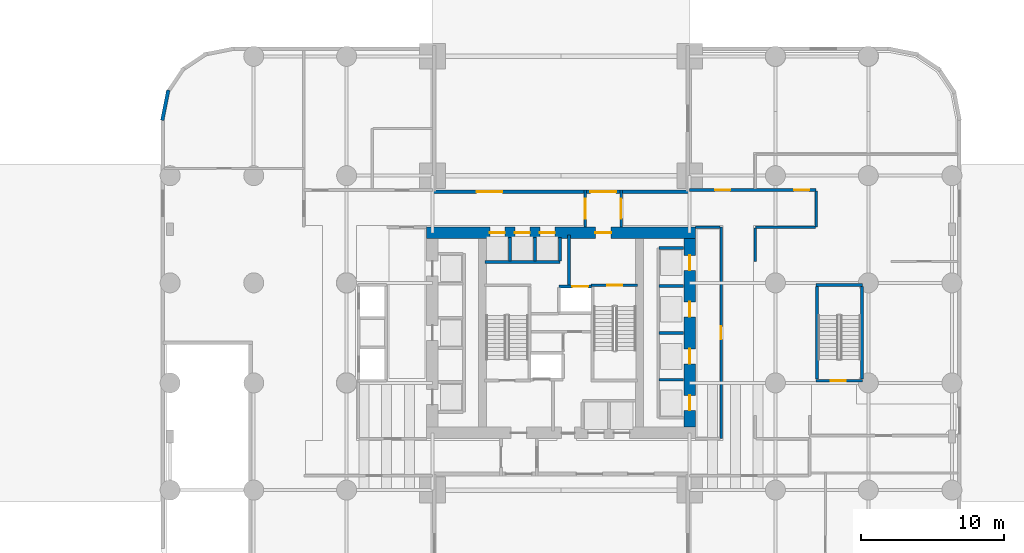
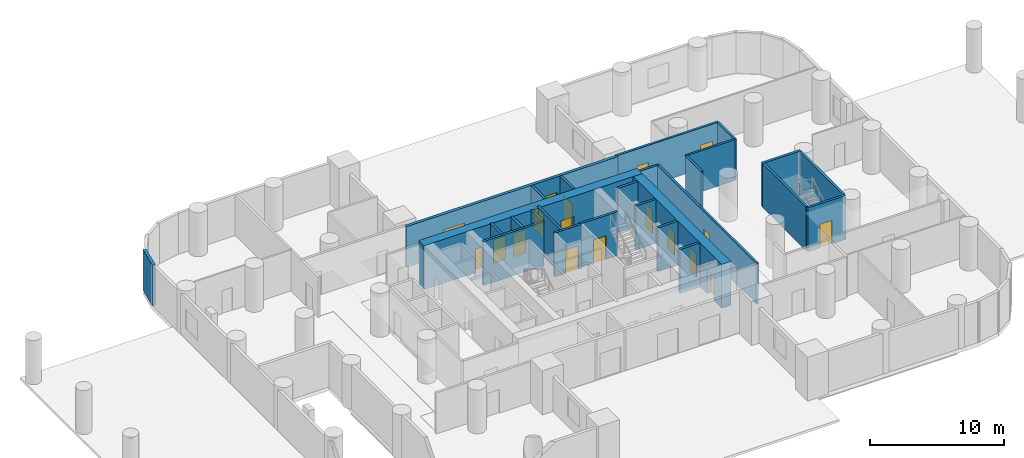
# One storey, part 5 of 10: 27 walls, 18 doors, 18 openings.
"""IFC4 building model written with IfcOpenShell, lengths in metres."""

from ifc_helpers import new_model, si_unit, direction, frame, frame_2d, origin, place, context, subcontext, project, spatial, rectangle, extrude, material, layer, layer_set, type_object, element, fill, save


model = new_model("IFC4")

# Units and contexts
model_context = context("Model", 3, precision=1e-05, world=origin(), true_north=direction((0.0, 1.0)))
body_context = subcontext(model_context, "Body", "Model", "MODEL_VIEW")
ifc_project = project(units=[si_unit("LENGTHUNIT", "METRE"), si_unit("AREAUNIT", "SQUARE_METRE"), si_unit("VOLUMEUNIT", "CUBIC_METRE"), si_unit("PLANEANGLEUNIT", "RADIAN"), si_unit("MASSUNIT", "GRAM", prefix="KILO")], contexts=[model_context])

# Site, building, storey
site_placement = place(None, origin())
site = spatial("IfcSite", under=ifc_project, at=site_placement, CompositionType="ELEMENT")
building_placement = place(site_placement, origin())
building = spatial("IfcBuilding", under=site, at=building_placement, Name="Veldorim Arch Residences", CompositionType="ELEMENT")
storey_placement = place(building_placement, origin())
storey = spatial("IfcBuildingStorey", under=building, at=storey_placement, Name="L00", CompositionType="ELEMENT", Elevation=0.0)

# Wall, opening, door
ifc_material_1 = material(Name="Lightweight Masonry Block & Gypsum", Category="masonry")
ifc_layer_1 = layer(ifc_material_1, 0.179931640625, Name="Compartment & Corridor Fire-Rated Party Wall 180")
ifc_layer_set_1 = layer_set([ifc_layer_1], Name="Lightweight Masonry Block & Gypsum")
wall_type_1 = type_object("IfcWallType", Name="Compartment & Corridor Fire-Rated Party Wall 180", PredefinedType="PARTITIONING", material=ifc_layer_set_1)
wall_1_placement = place(storey_placement, frame((36.199951171875, 34.0, 0.0), z_axis=(0.0, 0.0, 1.0), x_axis=(0.0, -1.0, 0.0)))
wall_1 = element("IfcWall", 1, at=wall_1_placement, inside=storey, type_object=wall_type_1, Name="L00 interior wall WL-POD-L00-003", PredefinedType="PARTITIONING", context=body_context, shape_type="SweptSolid", body=[
    extrude(rectangle(XDim=2.60009765625, YDim=0.179931640625, at=frame_2d((1.300048828125, 0.0))), origin(), (0.0, 0.0, 1.0), 3.715087890625),
])
opening_1_placement = place(wall_1_placement, frame((0.60009765625, 0.0, 0.0)))
opening_1 = element("IfcOpeningElement", 2, at=opening_1_placement, cuts=wall_1, Name="Opening DR-LBY", PredefinedType="OPENING", context=body_context, shape_type="SweptSolid", body=[
    extrude(rectangle(XDim=1.39990234375, YDim=2.14990234375, at=frame_2d((0.699951171875, 1.074951171875))), frame((0.0, 0.099853515625, 0.0), z_axis=(0.0, -1.0, 0.0), x_axis=(1.0, 0.0, 0.0)), (0.0, 0.0, 1.0), 0.199951171875),
])
ifc_material_2 = material(Name="Aluminium & Fire Glass", Category="aluminium")
door_type_1 = type_object("IfcDoorType", Name="Lobby Double-Leaf Smoke-Control Door 1400x2150", OperationType="SINGLE_SWING_LEFT", PredefinedType="DOOR", material=ifc_material_2)
door_1_placement = place(opening_1_placement, origin())
door_1 = element("IfcDoor", 3, at=door_1_placement, inside=storey, type_object=door_type_1, Name="L00 interior door DR-POD-L00-LBY-17", OperationType="DOUBLE_DOOR_SINGLE_SWING", OverallHeight=2.14990234375, OverallWidth=1.39990234375, PredefinedType="DOOR", context=body_context, shape_type="SweptSolid", body=[
    extrude(rectangle(XDim=1.39990234375, YDim=2.14990234375, at=frame_2d((0.699951171875, 1.074951171875))), frame((0.0, 0.02490234375, 0.0), z_axis=(0.0, -1.0, 0.0), x_axis=(1.0, 0.0, 0.0)), (0.0, 0.0, 1.0), 0.050048828125),
])
fill(opening_1, door_1)

wall_2_placement = place(storey_placement, frame((33.699951171875, 31.39990234375, 0.0), z_axis=(0.0, 0.0, 1.0), x_axis=(0.0, 1.0, 0.0)))
wall_2 = element("IfcWall", 4, at=wall_2_placement, inside=storey, type_object=wall_type_1, Name="L00 interior wall WL-POD-L00-004", PredefinedType="PARTITIONING", context=body_context, shape_type="SweptSolid", body=[
    extrude(rectangle(XDim=2.60009765625, YDim=0.179931640625, at=frame_2d((1.300048828125, 0.0))), origin(), (0.0, 0.0, 1.0), 3.715087890625),
])
opening_2_placement = place(wall_2_placement, frame((0.60009765625, 0.0, 0.0)))
opening_2 = element("IfcOpeningElement", 5, at=opening_2_placement, cuts=wall_2, Name="Opening DR-LBY", PredefinedType="OPENING", context=body_context, shape_type="SweptSolid", body=[
    extrude(rectangle(XDim=1.39990234375, YDim=2.14990234375, at=frame_2d((0.699951171875, 1.074951171875))), frame((0.0, 0.099853515625, 0.0), z_axis=(0.0, -1.0, 0.0), x_axis=(1.0, 0.0, 0.0)), (0.0, 0.0, 1.0), 0.199951171875),
])
door_2_placement = place(opening_2_placement, origin())
door_2 = element("IfcDoor", 6, at=door_2_placement, inside=storey, type_object=door_type_1, Name="L00 interior door DR-POD-L00-LBY-18", OperationType="DOUBLE_DOOR_SINGLE_SWING", OverallHeight=2.14990234375, OverallWidth=1.39990234375, PredefinedType="DOOR", context=body_context, shape_type="SweptSolid", body=[
    extrude(rectangle(XDim=1.39990234375, YDim=2.14990234375, at=frame_2d((0.699951171875, 1.074951171875))), frame((0.0, 0.02490234375, 0.0), z_axis=(0.0, -1.0, 0.0), x_axis=(1.0, 0.0, 0.0)), (0.0, 0.0, 1.0), 0.050048828125),
])
fill(opening_2, door_2)

wall_3_placement = place(storey_placement, frame((43.199951171875, 16.60009765625, 0.0), z_axis=(0.0, 0.0, 1.0), x_axis=(0.0, 1.0, 0.0)))
wall_3 = element("IfcWall", 7, at=wall_3_placement, inside=storey, type_object=wall_type_1, Name="L00 interior wall WL-POD-L00-007", PredefinedType="PARTITIONING", context=body_context, shape_type="SweptSolid", body=[
    extrude(rectangle(XDim=14.7998046875, YDim=0.179931640625, at=frame_2d((7.39990234375, 0.0))), origin(), (0.0, 0.0, 1.0), 3.715087890625),
])
opening_3_placement = place(wall_3_placement, frame((6.949951171875, 0.0, 0.0)))
opening_3 = element("IfcOpeningElement", 8, at=opening_3_placement, cuts=wall_3, Name="Opening DR-INT", PredefinedType="OPENING", context=body_context, shape_type="SweptSolid", body=[
    extrude(rectangle(XDim=0.89990234375, YDim=2.10009765625, at=frame_2d((0.449951171875, 1.050048828125))), frame((0.0, 0.099853515625, 0.0), z_axis=(0.0, -1.0, 0.0), x_axis=(1.0, 0.0, 0.0)), (0.0, 0.0, 1.0), 0.199951171875),
])
ifc_material_3 = material(Name="Engineered Timber", Category="wood")
door_type_2 = type_object("IfcDoorType", Name="Apartment Internal Room Timber Door 900x2100", OperationType="SINGLE_SWING_LEFT", PredefinedType="DOOR", material=ifc_material_3)
door_3_placement = place(opening_3_placement, origin())
door_3 = element("IfcDoor", 9, at=door_3_placement, inside=storey, type_object=door_type_2, Name="L00 interior door DR-POD-L00-008", OperationType="SINGLE_SWING_RIGHT", OverallHeight=2.10009765625, OverallWidth=0.89990234375, PredefinedType="DOOR", context=body_context, shape_type="SweptSolid", body=[
    extrude(rectangle(XDim=0.89990234375, YDim=2.10009765625, at=frame_2d((0.449951171875, 1.050048828125))), frame((0.0, 0.02490234375, 0.0), z_axis=(0.0, -1.0, 0.0), x_axis=(1.0, 0.0, 0.0)), (0.0, 0.0, 1.0), 0.050048828125),
])
fill(opening_3, door_3)

# Wall
wall_4_placement = place(storey_placement, frame((43.139892578125, 31.39990234375, 0.0), z_axis=(0.0, 0.0, 1.0), x_axis=(-1.0, 0.0, 0.0)))
element("IfcWall", 10, at=wall_4_placement, inside=storey, type_object=wall_type_1, Name="L00 interior wall WL-POD-L00-008", PredefinedType="PARTITIONING", context=body_context, shape_type="SweptSolid", body=[
    extrude(rectangle(XDim=1.739990234375, YDim=0.179931640625, at=frame_2d((0.8701171875, 0.0))), origin(), (0.0, 0.0, 1.0), 3.715087890625),
])

# Wall, openings, doors
wall_5_placement = place(storey_placement, frame((41.0, 34.0, 0.0), z_axis=(0.0, 0.0, 1.0), x_axis=(1.0, 0.0, 0.0)))
wall_5 = element("IfcWall", 11, at=wall_5_placement, inside=storey, type_object=wall_type_1, Name="L00 interior wall WL-POD-L00-014", PredefinedType="PARTITIONING", context=body_context, shape_type="SweptSolid", body=[
    extrude(rectangle(XDim=8.85009765625, YDim=0.179931640625, at=frame_2d((4.425048828125, 0.0))), origin(), (0.0, 0.0, 1.0), 3.715087890625),
])
opening_4_placement = place(wall_5_placement, frame((7.31005859375, 0.0, 0.0)))
opening_4 = element("IfcOpeningElement", 12, at=opening_4_placement, cuts=wall_5, Name="Opening DR-CLN", PredefinedType="OPENING", context=body_context, shape_type="SweptSolid", body=[
    extrude(rectangle(XDim=1.050048828125, YDim=2.14990234375, at=frame_2d((0.52490234375, 1.074951171875))), frame((0.0, 0.099853515625, 0.0), z_axis=(0.0, -1.0, 0.0), x_axis=(1.0, 0.0, 0.0)), (0.0, 0.0, 1.0), 0.199951171875),
])
opening_5_placement = place(wall_5_placement, frame((1.784912109375, 0.0, 0.0)))
opening_5 = element("IfcOpeningElement", 13, at=opening_5_placement, cuts=wall_5, Name="Opening DR-CLN", PredefinedType="OPENING", context=body_context, shape_type="SweptSolid", body=[
    extrude(rectangle(XDim=1.050048828125, YDim=2.14990234375, at=frame_2d((0.52490234375, 1.074951171875))), frame((0.0, 0.099853515625, 0.0), z_axis=(0.0, -1.0, 0.0), x_axis=(1.0, 0.0, 0.0)), (0.0, 0.0, 1.0), 0.199951171875),
])
ifc_material_4 = material(Name="Timber & Vision Panel", Category="wood")
door_type_3 = type_object("IfcDoorType", Name="Polyclinic Wheelchair-Accessible Consultation Door 1050x2150", OperationType="SINGLE_SWING_LEFT", PredefinedType="DOOR", material=ifc_material_4)
door_4_placement = place(opening_4_placement, origin())
door_4 = element("IfcDoor", 14, at=door_4_placement, inside=storey, type_object=door_type_3, Name="L00 interior door DR-POD-L00-013", OperationType="SINGLE_SWING_LEFT", OverallHeight=2.14990234375, OverallWidth=1.050048828125, PredefinedType="DOOR", context=body_context, shape_type="SweptSolid", body=[
    extrude(rectangle(XDim=1.050048828125, YDim=2.14990234375, at=frame_2d((0.52490234375, 1.074951171875))), frame((0.0, 0.02490234375, 0.0), z_axis=(0.0, -1.0, 0.0), x_axis=(1.0, 0.0, 0.0)), (0.0, 0.0, 1.0), 0.050048828125),
])
fill(opening_4, door_4)
door_5_placement = place(opening_5_placement, origin())
door_5 = element("IfcDoor", 15, at=door_5_placement, inside=storey, type_object=door_type_3, Name="L00 interior door DR-POD-L00-014", OperationType="SINGLE_SWING_RIGHT", OverallHeight=2.14990234375, OverallWidth=1.050048828125, PredefinedType="DOOR", context=body_context, shape_type="SweptSolid", body=[
    extrude(rectangle(XDim=1.050048828125, YDim=2.14990234375, at=frame_2d((0.52490234375, 1.074951171875))), frame((0.0, 0.02490234375, 0.0), z_axis=(0.0, -1.0, 0.0), x_axis=(1.0, 0.0, 0.0)), (0.0, 0.0, 1.0), 0.050048828125),
])
fill(opening_5, door_5)

# Walls
wall_6_placement = place(storey_placement, frame((49.85009765625, 33.93994140625, 0.0), z_axis=(0.0, 0.0, 1.0), x_axis=(0.0, -1.0, 0.0)))
element("IfcWall", 16, at=wall_6_placement, inside=storey, type_object=wall_type_1, Name="L00 interior wall WL-POD-L00-015", PredefinedType="PARTITIONING", context=body_context, shape_type="SweptSolid", body=[
    extrude(rectangle(XDim=2.5400390625, YDim=0.179931640625, at=frame_2d((1.27001953125, 0.0))), origin(), (0.0, 0.0, 1.0), 3.715087890625),
])
wall_7_placement = place(storey_placement, frame((49.7900390625, 31.39990234375, 0.0), z_axis=(0.0, 0.0, 1.0), x_axis=(-1.0, 0.0, 0.0)))
element("IfcWall", 17, at=wall_7_placement, inside=storey, type_object=wall_type_1, Name="L00 interior wall WL-POD-L00-016", PredefinedType="PARTITIONING", context=body_context, shape_type="SweptSolid", body=[
    extrude(rectangle(XDim=4.18994140625, YDim=0.179931640625, at=frame_2d((2.094970703125, 0.0))), origin(), (0.0, 0.0, 1.0), 3.715087890625),
])
wall_8_placement = place(storey_placement, frame((45.60009765625, 31.340087890625, 0.0), z_axis=(0.0, 0.0, 1.0), x_axis=(0.0, -1.0, 0.0)))
element("IfcWall", 18, at=wall_8_placement, inside=storey, type_object=wall_type_1, Name="L00 interior wall WL-POD-L00-017", PredefinedType="PARTITIONING", context=body_context, shape_type="SweptSolid", body=[
    extrude(rectangle(XDim=2.360107421875, YDim=0.179931640625, at=frame_2d((1.18017578125, 0.0))), origin(), (0.0, 0.0, 1.0), 3.715087890625),
])

# Wall, opening, door
ifc_material_5 = material(Name="Concrete C50/60", Category="concrete")
ifc_layer_2 = layer(ifc_material_5, 0.199951171875, Name="Core Stair & Lift Shaft Enclosure Wall 200")
ifc_layer_set_2 = layer_set([ifc_layer_2], Name="Concrete C50/60")
wall_type_2 = type_object("IfcWallType", Name="Core Stair & Lift Shaft Enclosure Wall 200", PredefinedType="SHEAR", material=ifc_layer_set_2)
wall_9_placement = place(storey_placement, frame((34.110107421875, 27.330078125, 0.0), z_axis=(0.0, 0.0, 1.0), x_axis=(1.0, 0.0, 0.0)))
wall_9 = element("IfcWall", 19, at=wall_9_placement, inside=storey, type_object=wall_type_2, Name="L00 shaft wall WL-SHF-L00-ST2-N", PredefinedType="SHEAR", context=body_context, shape_type="SweptSolid", body=[
    extrude(rectangle(XDim=3.239990234375, YDim=0.199951171875, at=frame_2d((1.6201171875, 0.0))), origin(), (0.0, 0.0, 1.0), 4.0),
])
opening_6_placement = place(wall_9_placement, frame((1.135009765625, 0.0, 0.0)))
opening_6 = element("IfcOpeningElement", 20, at=opening_6_placement, cuts=wall_9, Name="Opening DR-ST", PredefinedType="OPENING", context=body_context, shape_type="SweptSolid", body=[
    extrude(rectangle(XDim=1.050048828125, YDim=2.14990234375, at=frame_2d((0.52490234375, 1.074951171875))), frame((0.0, 0.10986328125, 0.0), z_axis=(0.0, -1.0, 0.0), x_axis=(1.0, 0.0, 0.0)), (0.0, 0.0, 1.0), 0.219970703125),
])
ifc_material_6 = material(Name="Fire-Rated Steel", Category="steel")
door_type_4 = type_object("IfcDoorType", Name="Exit Staircase Self-Closing Fire Door 1050x2150", OperationType="SINGLE_SWING_LEFT", PredefinedType="DOOR", material=ifc_material_6)
door_6_placement = place(opening_6_placement, origin())
door_6 = element("IfcDoor", 21, at=door_6_placement, inside=storey, type_object=door_type_4, Name="L00 interior door DR-L00-ST2", OperationType="SINGLE_SWING_RIGHT", OverallHeight=2.14990234375, OverallWidth=1.050048828125, PredefinedType="DOOR", context=body_context, shape_type="SweptSolid", body=[
    extrude(rectangle(XDim=1.050048828125, YDim=2.14990234375, at=frame_2d((0.52490234375, 1.074951171875))), frame((0.0, 0.02490234375, 0.0), z_axis=(0.0, -1.0, 0.0), x_axis=(1.0, 0.0, 0.0)), (0.0, 0.0, 1.0), 0.050048828125),
])
fill(opening_6, door_6)

# Wall
wall_10_placement = place(storey_placement, frame((32.550048828125, 27.35009765625, 0.0), z_axis=(0.0, 0.0, 1.0), x_axis=(0.0, 1.0, 0.0)))
element("IfcWall", 22, at=wall_10_placement, inside=storey, type_object=wall_type_2, Name="L00 shaft wall WL-FFL2-L00-W", PredefinedType="SHEAR", context=body_context, shape_type="SweptSolid", body=[
    extrude(rectangle(XDim=3.5, YDim=0.199951171875, at=frame_2d((1.75, 0.0))), origin(), (0.0, 0.0, 1.0), 4.0),
])

# Wall, opening, door
wall_11_placement = place(storey_placement, frame((31.85009765625, 27.25, 0.0), z_axis=(0.0, 0.0, 1.0), x_axis=(1.0, 0.0, 0.0)))
wall_11 = element("IfcWall", 23, at=wall_11_placement, inside=storey, type_object=wall_type_2, Name="L00 shaft wall WL-FL02-L00-N", PredefinedType="SHEAR", context=body_context, shape_type="SweptSolid", body=[
    extrude(rectangle(XDim=2.2998046875, YDim=0.199951171875, at=frame_2d((1.14990234375, 0.0))), origin(), (0.0, 0.0, 1.0), 4.0),
])
opening_7_placement = place(wall_11_placement, frame((0.949951171875, 0.0, 0.0)))
opening_7 = element("IfcOpeningElement", 24, at=opening_7_placement, cuts=wall_11, Name="Opening LD-FF", PredefinedType="OPENING", context=body_context, shape_type="SweptSolid", body=[
    extrude(rectangle(XDim=1.10009765625, YDim=2.14990234375, at=frame_2d((0.550048828125, 1.074951171875))), frame((0.0, 0.10986328125, 0.0), z_axis=(0.0, -1.0, 0.0), x_axis=(1.0, 0.0, 0.0)), (0.0, 0.0, 1.0), 0.219970703125),
])
ifc_material_7 = material(Name="Stainless Steel", Category="steel")
door_type_5 = type_object("IfcDoorType", Name="Firefighting Lift Bi-Parting Sliding Landing Door 1100x2150", OperationType="DOUBLE_DOOR_SLIDING", PredefinedType="DOOR", material=ifc_material_7)
door_7_placement = place(opening_7_placement, origin())
door_7 = element("IfcDoor", 25, at=door_7_placement, inside=storey, type_object=door_type_5, Name="L00 lift landing door LD-L00-FL02", OperationType="DOUBLE_DOOR_SLIDING", OverallHeight=2.14990234375, OverallWidth=1.10009765625, PredefinedType="DOOR", context=body_context, shape_type="SweptSolid", body=[
    extrude(rectangle(XDim=1.10009765625, YDim=2.14990234375, at=frame_2d((0.550048828125, 1.074951171875))), frame((0.0, 0.02490234375, 0.0), z_axis=(0.0, -1.0, 0.0), x_axis=(1.0, 0.0, 0.0)), (0.0, 0.0, 1.0), 0.050048828125),
])
fill(opening_7, door_7)

# Walls
for number, where, z_axis, x_axis, name in (
    (26, (38.8701171875, 29.93994140625, 0.0), (0.0, 0.0, 1.0), (1.0, 0.0, 0.0), "L00 shaft wall WL-B1-L00-N"),
    (27, (38.8701171875, 20.72509765625, 0.0), (0.0, 0.0, 1.0), (1.0, 0.0, 0.0), "L00 shaft wall WL-B1-L00-D1"),
    (28, (38.8701171875, 24.0, 0.0), (0.0, 0.0, 1.0), (1.0, 0.0, 0.0), "L00 shaft wall WL-B1-L00-D2"),
    (29, (38.8701171875, 27.27490234375, 0.0), (0.0, 0.0, 1.0), (1.0, 0.0, 0.0), "L00 shaft wall WL-B1-L00-D3"),
):
    element("IfcWall", number, at=place(storey_placement, frame(where, z_axis=z_axis, x_axis=x_axis)), inside=storey, type_object=wall_type_2, Name=name, PredefinedType="SHEAR", context=body_context, shape_type="SweptSolid", body=[
        extrude(rectangle(XDim=1.7099609375, YDim=0.199951171875, at=frame_2d((0.85498046875, 0.0))), origin(), (0.0, 0.0, 1.0), 4.0),
    ])
wall_12_placement = place(storey_placement, frame((26.679931640625, 28.949951171875, 0.0), z_axis=(0.0, 0.0, 1.0), x_axis=(1.0, 0.0, 0.0)))
element("IfcWall", 30, at=wall_12_placement, inside=storey, type_object=wall_type_2, Name="L00 shaft wall WL-B3-L00-S", PredefinedType="SHEAR", context=body_context, shape_type="SweptSolid", body=[
    extrude(rectangle(XDim=5.239990234375, YDim=0.199951171875, at=frame_2d((2.6201171875, 0.0))), origin(), (0.0, 0.0, 1.0), 4.0),
])
for number, where, z_axis, x_axis, name in (
    (31, (31.919921875, 29.02001953125, 0.0), (0.0, 0.0, 1.0), (0.0, 1.0, 0.0), "L00 shaft wall WL-B3-L00-E"),
    (32, (28.425048828125, 29.02001953125, 0.0), (0.0, 0.0, 1.0), (0.0, 1.0, 0.0), "L00 shaft wall WL-B3-L00-D1"),
    (33, (30.175048828125, 29.02001953125, 0.0), (0.0, 0.0, 1.0), (0.0, 1.0, 0.0), "L00 shaft wall WL-B3-L00-D2"),
):
    element("IfcWall", number, at=place(storey_placement, frame(where, z_axis=z_axis, x_axis=x_axis)), inside=storey, type_object=wall_type_2, Name=name, PredefinedType="SHEAR", context=body_context, shape_type="SweptSolid", body=[
        extrude(rectangle(XDim=1.659912109375, YDim=0.199951171875, at=frame_2d((0.830078125, 0.0))), origin(), (0.0, 0.0, 1.0), 4.0),
    ])
for number, where, z_axis, x_axis, name in (
    (34, (49.89990234375, 20.760009765625, 0.0), (0.0, 0.0, 1.0), (0.0, 1.0, 0.0), "L00 shaft wall WL-SHF-L00-ST3-W"),
    (35, (53.06005859375, 20.760009765625, 0.0), (0.0, 0.0, 1.0), (0.0, 1.0, 0.0), "L00 shaft wall WL-SHF-L00-ST3-E"),
):
    element("IfcWall", number, at=place(storey_placement, frame(where, z_axis=z_axis, x_axis=x_axis)), inside=storey, type_object=wall_type_2, Name=name, PredefinedType="SHEAR", context=body_context, shape_type="SweptSolid", body=[
        extrude(rectangle(XDim=6.47998046875, YDim=0.199951171875, at=frame_2d((3.239990234375, 0.0))), origin(), (0.0, 0.0, 1.0), 4.0),
    ])

# Wall, opening, door
wall_13_placement = place(storey_placement, frame((49.85009765625, 20.64990234375, 0.0), z_axis=(0.0, 0.0, 1.0), x_axis=(1.0, 0.0, 0.0)))
wall_13 = element("IfcWall", 36, at=wall_13_placement, inside=storey, type_object=wall_type_2, Name="L00 shaft wall WL-SHF-L00-ST3-S", PredefinedType="SHEAR", context=body_context, shape_type="SweptSolid", body=[
    extrude(rectangle(XDim=3.260009765625, YDim=0.199951171875, at=frame_2d((1.6298828125, 0.0))), origin(), (0.0, 0.0, 1.0), 4.0),
])
opening_8_placement = place(wall_13_placement, frame((1.02490234375, 0.0, 0.0)))
opening_8 = element("IfcOpeningElement", 37, at=opening_8_placement, cuts=wall_13, Name="Opening DR-ST", PredefinedType="OPENING", context=body_context, shape_type="SweptSolid", body=[
    extrude(rectangle(XDim=1.050048828125, YDim=2.14990234375, at=frame_2d((0.52490234375, 1.074951171875))), frame((0.0, 0.10986328125, 0.0), z_axis=(0.0, -1.0, 0.0), x_axis=(1.0, 0.0, 0.0)), (0.0, 0.0, 1.0), 0.219970703125),
])
door_8_placement = place(opening_8_placement, origin())
door_8 = element("IfcDoor", 38, at=door_8_placement, inside=storey, type_object=door_type_4, Name="L00 interior door DR-L00-ST3", OperationType="SINGLE_SWING_LEFT", OverallHeight=2.14990234375, OverallWidth=1.050048828125, PredefinedType="DOOR", context=body_context, shape_type="SweptSolid", body=[
    extrude(rectangle(XDim=1.050048828125, YDim=2.14990234375, at=frame_2d((0.52490234375, 1.074951171875))), frame((0.0, 0.02490234375, 0.0), z_axis=(0.0, -1.0, 0.0), x_axis=(1.0, 0.0, 0.0)), (0.0, 0.0, 1.0), 0.050048828125),
])
fill(opening_8, door_8)

# Wall
wall_14_placement = place(storey_placement, frame((49.85009765625, 27.35009765625, 0.0), z_axis=(0.0, 0.0, 1.0), x_axis=(1.0, 0.0, 0.0)))
element("IfcWall", 39, at=wall_14_placement, inside=storey, type_object=wall_type_2, Name="L00 shaft wall WL-SHF-L00-ST3-N", PredefinedType="SHEAR", context=body_context, shape_type="SweptSolid", body=[
    extrude(rectangle(XDim=3.260009765625, YDim=0.199951171875, at=frame_2d((1.6298828125, 0.0))), origin(), (0.0, 0.0, 1.0), 4.0),
])

# Wall, openings, doors
ifc_material_8 = material(Name="Concrete C60/75", Category="concrete")
ifc_layer_3 = layer(ifc_material_8, 0.800048828125, Name="Lower Central Core Shear Wall 800")
ifc_layer_set_3 = layer_set([ifc_layer_3], Name="Concrete C60/75")
wall_type_3 = type_object("IfcWallType", Name="Lower Central Core Shear Wall 800", PredefinedType="SHEAR", material=ifc_layer_set_3)
wall_15_placement = place(storey_placement, frame((22.60009765625, 31.0, 0.0), z_axis=(0.0, 0.0, 1.0), x_axis=(1.0, 0.0, 0.0)))
wall_15 = element("IfcWall", 40, at=wall_15_placement, inside=storey, type_object=wall_type_3, Name="L00 central core north shear wall", PredefinedType="SHEAR", context=body_context, shape_type="SweptSolid", body=[
    extrude(rectangle(XDim=18.7998046875, YDim=0.800048828125, at=frame_2d((9.39990234375, 0.0))), origin(), (0.0, 0.0, 1.0), 4.0),
])
opening_9_placement = place(wall_15_placement, frame((11.800048828125, 0.0, 0.0)))
opening_9 = element("IfcOpeningElement", 41, at=opening_9_placement, cuts=wall_15, Name="Opening DR-FFL", PredefinedType="OPENING", context=body_context, shape_type="SweptSolid", body=[
    extrude(rectangle(XDim=1.10009765625, YDim=2.14990234375, at=frame_2d((0.550048828125, 1.074951171875))), frame((0.0, 0.409912109375, 0.0), z_axis=(0.0, -1.0, 0.0), x_axis=(1.0, 0.0, 0.0)), (0.0, 0.0, 1.0), 0.820068359375),
])
opening_10_placement = place(wall_15_placement, frame((4.425048828125, 0.0, 0.0)))
opening_10 = element("IfcOpeningElement", 42, at=opening_10_placement, cuts=wall_15, Name="Opening LD-PS", PredefinedType="OPENING", context=body_context, shape_type="SweptSolid", body=[
    extrude(rectangle(XDim=1.050048828125, YDim=2.14990234375, at=frame_2d((0.52490234375, 1.074951171875))), frame((0.0, 0.409912109375, 0.0), z_axis=(0.0, -1.0, 0.0), x_axis=(1.0, 0.0, 0.0)), (0.0, 0.0, 1.0), 0.820068359375),
])
opening_11_placement = place(wall_15_placement, frame((6.175048828125, 0.0, 0.0)))
opening_11 = element("IfcOpeningElement", 43, at=opening_11_placement, cuts=wall_15, Name="Opening LD-PS", PredefinedType="OPENING", context=body_context, shape_type="SweptSolid", body=[
    extrude(rectangle(XDim=1.050048828125, YDim=2.14990234375, at=frame_2d((0.52490234375, 1.074951171875))), frame((0.0, 0.409912109375, 0.0), z_axis=(0.0, -1.0, 0.0), x_axis=(1.0, 0.0, 0.0)), (0.0, 0.0, 1.0), 0.820068359375),
])
opening_12_placement = place(wall_15_placement, frame((7.925048828125, 0.0, 0.0)))
opening_12 = element("IfcOpeningElement", 44, at=opening_12_placement, cuts=wall_15, Name="Opening LD-PS", PredefinedType="OPENING", context=body_context, shape_type="SweptSolid", body=[
    extrude(rectangle(XDim=1.050048828125, YDim=2.14990234375, at=frame_2d((0.52490234375, 1.074951171875))), frame((0.0, 0.409912109375, 0.0), z_axis=(0.0, -1.0, 0.0), x_axis=(1.0, 0.0, 0.0)), (0.0, 0.0, 1.0), 0.820068359375),
])
ifc_material_9 = material(Name="Fire-Rated Steel & Vision Glass", Category="steel")
door_type_6 = type_object("IfcDoorType", Name="Firefighting Lobby Smoke-Stop Fire Door 1100x2150", OperationType="SINGLE_SWING_LEFT", PredefinedType="DOOR", material=ifc_material_9)
door_9_placement = place(opening_9_placement, origin())
door_9 = element("IfcDoor", 45, at=door_9_placement, inside=storey, type_object=door_type_6, Name="L00 interior door DR-L00-FFL2", OperationType="SINGLE_SWING_LEFT", OverallHeight=2.14990234375, OverallWidth=1.10009765625, PredefinedType="DOOR", context=body_context, shape_type="SweptSolid", body=[
    extrude(rectangle(XDim=1.10009765625, YDim=2.14990234375, at=frame_2d((0.550048828125, 1.074951171875))), frame((0.0, 0.02490234375, 0.0), z_axis=(0.0, -1.0, 0.0), x_axis=(1.0, 0.0, 0.0)), (0.0, 0.0, 1.0), 0.050048828125),
])
fill(opening_9, door_9)
ifc_material_10 = material(Name="Stainless Steel", Category="steel")
door_type_7 = type_object("IfcDoorType", Name="Passenger Lift Bi-Parting Sliding Landing Door 1050x2150", OperationType="DOUBLE_DOOR_SLIDING", PredefinedType="DOOR", material=ifc_material_10)
door_10_placement = place(opening_10_placement, origin())
door_10 = element("IfcDoor", 46, at=door_10_placement, inside=storey, type_object=door_type_7, Name="L00 lift landing door LD-L00-PL-08", OperationType="DOUBLE_DOOR_SLIDING", OverallHeight=2.14990234375, OverallWidth=1.050048828125, PredefinedType="DOOR", context=body_context, shape_type="SweptSolid", body=[
    extrude(rectangle(XDim=1.050048828125, YDim=2.14990234375, at=frame_2d((0.52490234375, 1.074951171875))), frame((0.0, 0.02490234375, 0.0), z_axis=(0.0, -1.0, 0.0), x_axis=(1.0, 0.0, 0.0)), (0.0, 0.0, 1.0), 0.050048828125),
])
fill(opening_10, door_10)
door_11_placement = place(opening_11_placement, origin())
door_11 = element("IfcDoor", 47, at=door_11_placement, inside=storey, type_object=door_type_7, Name="L00 lift landing door LD-L00-PL-09", OperationType="DOUBLE_DOOR_SLIDING", OverallHeight=2.14990234375, OverallWidth=1.050048828125, PredefinedType="DOOR", context=body_context, shape_type="SweptSolid", body=[
    extrude(rectangle(XDim=1.050048828125, YDim=2.14990234375, at=frame_2d((0.52490234375, 1.074951171875))), frame((0.0, 0.02490234375, 0.0), z_axis=(0.0, -1.0, 0.0), x_axis=(1.0, 0.0, 0.0)), (0.0, 0.0, 1.0), 0.050048828125),
])
fill(opening_11, door_11)
door_12_placement = place(opening_12_placement, origin())
door_12 = element("IfcDoor", 48, at=door_12_placement, inside=storey, type_object=door_type_7, Name="L00 lift landing door LD-L00-PL-10", OperationType="DOUBLE_DOOR_SLIDING", OverallHeight=2.14990234375, OverallWidth=1.050048828125, PredefinedType="DOOR", context=body_context, shape_type="SweptSolid", body=[
    extrude(rectangle(XDim=1.050048828125, YDim=2.14990234375, at=frame_2d((0.52490234375, 1.074951171875))), frame((0.0, 0.02490234375, 0.0), z_axis=(0.0, -1.0, 0.0), x_axis=(1.0, 0.0, 0.0)), (0.0, 0.0, 1.0), 0.050048828125),
])
fill(opening_12, door_12)

wall_16_placement = place(storey_placement, frame((41.0, 17.39990234375, 0.0), z_axis=(0.0, 0.0, 1.0), x_axis=(0.0, 1.0, 0.0)))
wall_16 = element("IfcWall", 49, at=wall_16_placement, inside=storey, type_object=wall_type_3, Name="L00 central core east shear wall", PredefinedType="SHEAR", context=body_context, shape_type="SweptSolid", body=[
    extrude(rectangle(XDim=13.2001953125, YDim=0.800048828125, at=frame_2d((6.60009765625, 0.0))), origin(), (0.0, 0.0, 1.0), 4.0),
])
opening_13_placement = place(wall_16_placement, frame((1.175048828125, 0.0, 0.0)))
opening_13 = element("IfcOpeningElement", 50, at=opening_13_placement, cuts=wall_16, Name="Opening LD-PS", PredefinedType="OPENING", context=body_context, shape_type="SweptSolid", body=[
    extrude(rectangle(XDim=1.050048828125, YDim=2.14990234375, at=frame_2d((0.52490234375, 1.074951171875))), frame((0.0, 0.409912109375, 0.0), z_axis=(0.0, -1.0, 0.0), x_axis=(1.0, 0.0, 0.0)), (0.0, 0.0, 1.0), 0.820068359375),
])
opening_14_placement = place(wall_16_placement, frame((4.425048828125, 0.0, 0.0)))
opening_14 = element("IfcOpeningElement", 51, at=opening_14_placement, cuts=wall_16, Name="Opening LD-PS", PredefinedType="OPENING", context=body_context, shape_type="SweptSolid", body=[
    extrude(rectangle(XDim=1.050048828125, YDim=2.14990234375, at=frame_2d((0.52490234375, 1.074951171875))), frame((0.0, 0.409912109375, 0.0), z_axis=(0.0, -1.0, 0.0), x_axis=(1.0, 0.0, 0.0)), (0.0, 0.0, 1.0), 0.820068359375),
])
opening_15_placement = place(wall_16_placement, frame((7.72509765625, 0.0, 0.0)))
opening_15 = element("IfcOpeningElement", 52, at=opening_15_placement, cuts=wall_16, Name="Opening LD-PS", PredefinedType="OPENING", context=body_context, shape_type="SweptSolid", body=[
    extrude(rectangle(XDim=1.050048828125, YDim=2.14990234375, at=frame_2d((0.52490234375, 1.074951171875))), frame((0.0, 0.409912109375, 0.0), z_axis=(0.0, -1.0, 0.0), x_axis=(1.0, 0.0, 0.0)), (0.0, 0.0, 1.0), 0.820068359375),
])
opening_16_placement = place(wall_16_placement, frame((10.97509765625, 0.0, 0.0)))
opening_16 = element("IfcOpeningElement", 53, at=opening_16_placement, cuts=wall_16, Name="Opening LD-PS", PredefinedType="OPENING", context=body_context, shape_type="SweptSolid", body=[
    extrude(rectangle(XDim=1.050048828125, YDim=2.14990234375, at=frame_2d((0.52490234375, 1.074951171875))), frame((0.0, 0.409912109375, 0.0), z_axis=(0.0, -1.0, 0.0), x_axis=(1.0, 0.0, 0.0)), (0.0, 0.0, 1.0), 0.820068359375),
])
door_13_placement = place(opening_13_placement, origin())
door_13 = element("IfcDoor", 54, at=door_13_placement, inside=storey, type_object=door_type_7, Name="L00 lift landing door LD-L00-PL-01", OperationType="DOUBLE_DOOR_SLIDING", OverallHeight=2.14990234375, OverallWidth=1.050048828125, PredefinedType="DOOR", context=body_context, shape_type="SweptSolid", body=[
    extrude(rectangle(XDim=1.050048828125, YDim=2.14990234375, at=frame_2d((0.52490234375, 1.074951171875))), frame((0.0, 0.02490234375, 0.0), z_axis=(0.0, -1.0, 0.0), x_axis=(1.0, 0.0, 0.0)), (0.0, 0.0, 1.0), 0.050048828125),
])
fill(opening_13, door_13)
door_14_placement = place(opening_14_placement, origin())
door_14 = element("IfcDoor", 55, at=door_14_placement, inside=storey, type_object=door_type_7, Name="L00 lift landing door LD-L00-PL-02", OperationType="DOUBLE_DOOR_SLIDING", OverallHeight=2.14990234375, OverallWidth=1.050048828125, PredefinedType="DOOR", context=body_context, shape_type="SweptSolid", body=[
    extrude(rectangle(XDim=1.050048828125, YDim=2.14990234375, at=frame_2d((0.52490234375, 1.074951171875))), frame((0.0, 0.02490234375, 0.0), z_axis=(0.0, -1.0, 0.0), x_axis=(1.0, 0.0, 0.0)), (0.0, 0.0, 1.0), 0.050048828125),
])
fill(opening_14, door_14)
door_15_placement = place(opening_15_placement, origin())
door_15 = element("IfcDoor", 56, at=door_15_placement, inside=storey, type_object=door_type_7, Name="L00 lift landing door LD-L00-PL-03", OperationType="DOUBLE_DOOR_SLIDING", OverallHeight=2.14990234375, OverallWidth=1.050048828125, PredefinedType="DOOR", context=body_context, shape_type="SweptSolid", body=[
    extrude(rectangle(XDim=1.050048828125, YDim=2.14990234375, at=frame_2d((0.52490234375, 1.074951171875))), frame((0.0, 0.02490234375, 0.0), z_axis=(0.0, -1.0, 0.0), x_axis=(1.0, 0.0, 0.0)), (0.0, 0.0, 1.0), 0.050048828125),
])
fill(opening_15, door_15)
door_16_placement = place(opening_16_placement, origin())
door_16 = element("IfcDoor", 57, at=door_16_placement, inside=storey, type_object=door_type_7, Name="L00 lift landing door LD-L00-PL-04", OperationType="DOUBLE_DOOR_SLIDING", OverallHeight=2.14990234375, OverallWidth=1.050048828125, PredefinedType="DOOR", context=body_context, shape_type="SweptSolid", body=[
    extrude(rectangle(XDim=1.050048828125, YDim=2.14990234375, at=frame_2d((0.52490234375, 1.074951171875))), frame((0.0, 0.02490234375, 0.0), z_axis=(0.0, -1.0, 0.0), x_axis=(1.0, 0.0, 0.0)), (0.0, 0.0, 1.0), 0.050048828125),
])
fill(opening_16, door_16)

# Wall
ifc_material_11 = material(Name="Precast concrete C40/50", Category="concrete")
ifc_layer_4 = layer(ifc_material_11, 0.25, Name="Podium Terracotta Insulated Facade Wall 250")
ifc_layer_set_4 = layer_set([ifc_layer_4], Name="Precast concrete C40/50")
wall_type_4 = type_object("IfcWallType", Name="Podium Terracotta Insulated Facade Wall 250", PredefinedType="SOLIDWALL", material=ifc_layer_set_4)
wall_17_placement = place(storey_placement, frame((4.10302734375, 38.87744140625, 0.0), z_axis=(0.0, 0.0, 1.0), x_axis=(0.195111965738, 0.980780974951, 0.0)))
element("IfcWall", 58, at=wall_17_placement, inside=storey, type_object=wall_type_4, Name="L00 podium terracotta facade wall 19", PredefinedType="SOLIDWALL", context=body_context, shape_type="SweptSolid", body=[
    extrude(rectangle(XDim=2.15087890625, YDim=0.25, at=frame_2d((1.075439453125, 0.0))), origin(), (0.0, 0.0, 1.0), 3.719970703125),
])

# Wall, openings, doors
wall_18_placement = place(storey_placement, frame((22.89990234375, 33.875, 0.0), z_axis=(0.0, 0.0, 1.0), x_axis=(1.0, 0.0, 0.0)))
wall_18 = element("IfcWall", 59, at=wall_18_placement, inside=storey, type_object=wall_type_4, Name="L00 podium terracotta facade wall 25", PredefinedType="SOLIDWALL", context=body_context, shape_type="SweptSolid", body=[
    extrude(rectangle(XDim=18.2001953125, YDim=0.25, at=frame_2d((9.10009765625, 0.0))), origin(), (0.0, 0.0, 1.0), 3.719970703125),
])
opening_17_placement = place(wall_18_placement, frame((11.14990234375, 0.0, 0.0)))
opening_17 = element("IfcOpeningElement", 60, at=opening_17_placement, cuts=wall_18, Name="Opening EX-04", PredefinedType="OPENING", context=body_context, shape_type="SweptSolid", body=[
    extrude(rectangle(XDim=1.800048828125, YDim=2.300048828125, at=frame_2d((0.89990234375, 1.14990234375))), frame((0.0, 0.135009765625, 0.0), z_axis=(0.0, -1.0, 0.0), x_axis=(1.0, 0.0, 0.0)), (0.0, 0.0, 1.0), 0.27001953125),
])
opening_18_placement = place(wall_18_placement, frame((3.199951171875, 0.0, 0.0)))
opening_18 = element("IfcOpeningElement", 61, at=opening_18_placement, cuts=wall_18, Name="Opening EX-05", PredefinedType="OPENING", context=body_context, shape_type="SweptSolid", body=[
    extrude(rectangle(XDim=1.800048828125, YDim=2.300048828125, at=frame_2d((0.89990234375, 1.14990234375))), frame((0.0, 0.135009765625, 0.0), z_axis=(0.0, -1.0, 0.0), x_axis=(1.0, 0.0, 0.0)), (0.0, 0.0, 1.0), 0.27001953125),
])
ifc_material_12 = material(Name="Aluminium & Toughened Glass", Category="aluminium")
door_type_8 = type_object("IfcDoorType", Name="Ground Outward Double Exit Door 1800x2300", OperationType="SINGLE_SWING_LEFT", PredefinedType="DOOR", material=ifc_material_12)
door_17_placement = place(opening_17_placement, origin())
door_17 = element("IfcDoor", 62, at=door_17_placement, inside=storey, type_object=door_type_8, Name="Ground north exit discharge door EX-04", OperationType="DOUBLE_DOOR_SINGLE_SWING", OverallHeight=2.300048828125, OverallWidth=1.800048828125, PredefinedType="DOOR", context=body_context, shape_type="SweptSolid", body=[
    extrude(rectangle(XDim=1.800048828125, YDim=2.300048828125, at=frame_2d((0.89990234375, 1.14990234375))), frame((0.0, 0.02490234375, 0.0), z_axis=(0.0, -1.0, 0.0), x_axis=(1.0, 0.0, 0.0)), (0.0, 0.0, 1.0), 0.050048828125),
])
fill(opening_17, door_17)
door_18_placement = place(opening_18_placement, origin())
door_18 = element("IfcDoor", 63, at=door_18_placement, inside=storey, type_object=door_type_8, Name="Ground north exit discharge door EX-05", OperationType="DOUBLE_DOOR_SINGLE_SWING", OverallHeight=2.300048828125, OverallWidth=1.800048828125, PredefinedType="DOOR", context=body_context, shape_type="SweptSolid", body=[
    extrude(rectangle(XDim=1.800048828125, YDim=2.300048828125, at=frame_2d((0.89990234375, 1.14990234375))), frame((0.0, 0.02490234375, 0.0), z_axis=(0.0, -1.0, 0.0), x_axis=(1.0, 0.0, 0.0)), (0.0, 0.0, 1.0), 0.050048828125),
])
fill(opening_18, door_18)

save(model, "model.ifc")
